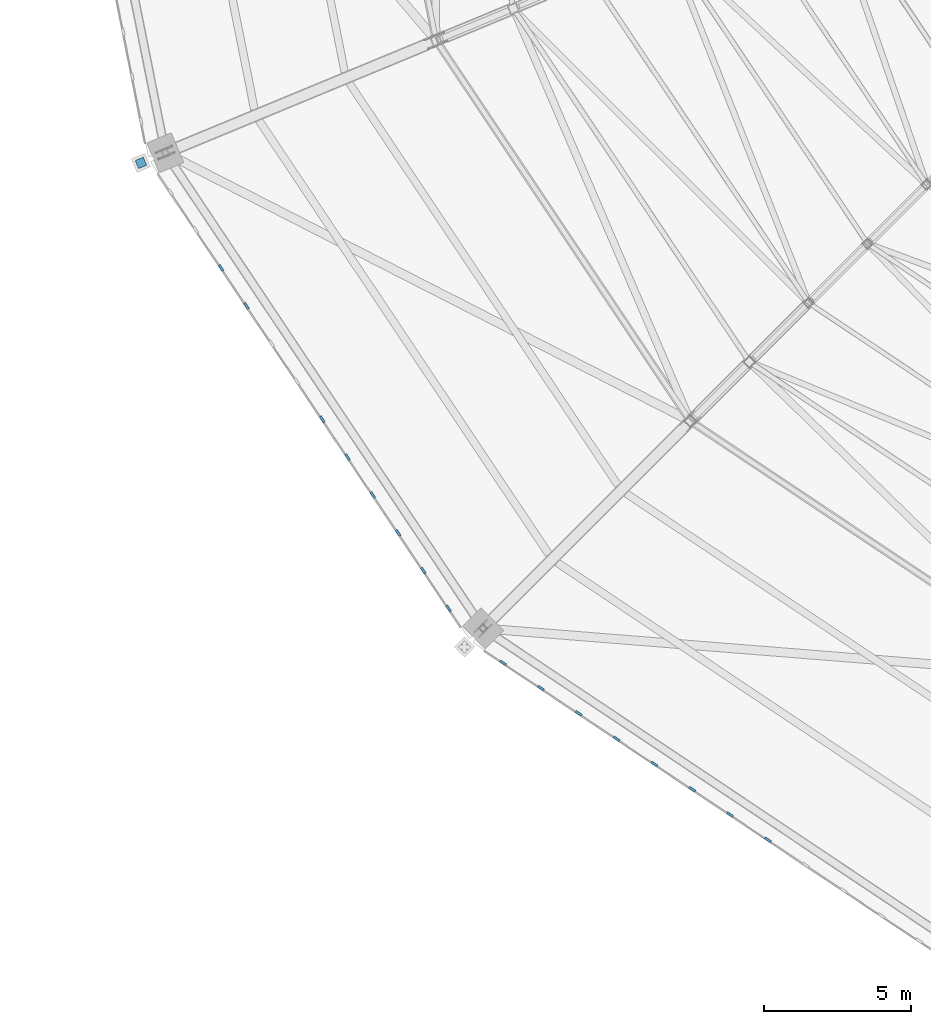
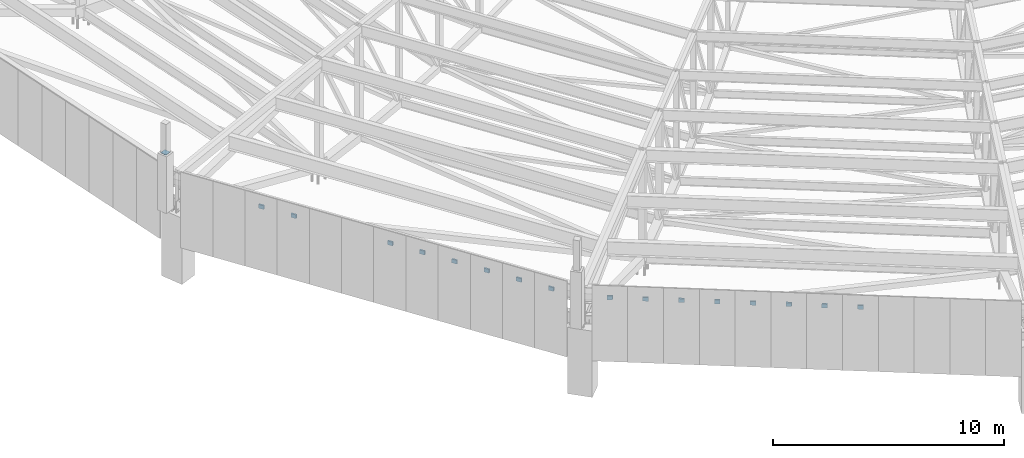
# One storey, part 112 of 278: 17 discrete accessories.
"""IFC4 building model written with IfcOpenShell, lengths in metres."""

import ifcopenshell
import ifcopenshell.guid

model = None  # the IFC model being written
_history = None  # IfcOwnerHistory: only IFC2X3 demands one
_inside = {}  # id of a spatial element -> (the spatial element, [elements in it])
_under = {}  # id of a project, library or spatial element -> (it, [spatial elements below it])
_declared = {}  # id of a project -> (the project, [libraries it declares])
_typed = {}  # id of a type object -> (the type object, [elements of that type])
_made_of = {}  # id of a material, layer set ... -> (it, [elements and type objects made of it])


def new_model(schema):
    """Start an empty IFC model of exactly this schema.

    Asked for "IFC4X3", IfcOpenShell would pick the latest addendum, in which some entities
    have other attributes; the version numbers below select the first issue.
    IFC2X3 requires an IfcOwnerHistory on every rooted entity: one is made here for all.
    """
    global model, _history
    if schema == "IFC4X3":
        model = ifcopenshell.file(schema_version=(4, 3, 0, 0))
    else:
        model = ifcopenshell.file(schema=schema)
    _inside.clear()
    _under.clear()
    _declared.clear()
    _typed.clear()
    _made_of.clear()
    _history = None
    if model.schema == "IFC2X3":
        org = make("IfcOrganization", Name="unknown")
        user = make(
            "IfcPersonAndOrganization",
            ThePerson=make("IfcPerson", FamilyName="unknown"),
            TheOrganization=org,
        )
        app = make(
            "IfcApplication",
            ApplicationDeveloper=org,
            Version="unknown",
            ApplicationFullName="unknown",
            ApplicationIdentifier="unknown",
        )
        _history = make(
            "IfcOwnerHistory",
            OwningUser=user,
            OwningApplication=app,
            ChangeAction="ADDED",
            CreationDate=0,
        )
    return model


def make(cls, **values):
    """One entity of the class cls with the attributes given. An attribute that is None is left unset."""
    return model.create_entity(
        cls, **{name: value for name, value in values.items() if value is not None}
    )


def rooted(cls, **values):
    """An entity with a GlobalId (a new one), such as an element, a storey or a relation."""
    return make(cls, GlobalId=ifcopenshell.guid.new(), OwnerHistory=_history, **values)


def si_unit(unit_type, name, prefix=None):
    """IfcSIUnit, for example si_unit("LENGTHUNIT", "METRE", prefix="MILLI")."""
    return make("IfcSIUnit", UnitType=unit_type, Prefix=prefix, Name=name)


def assignment(units):
    """IfcUnitAssignment: the units of a project."""
    return None if units is None else make("IfcUnitAssignment", Units=units)


def point(xyz):
    """IfcCartesianPoint."""
    return None if xyz is None else make("IfcCartesianPoint", Coordinates=xyz)


def direction(xyz):
    """IfcDirection."""
    return None if xyz is None else make("IfcDirection", DirectionRatios=xyz)


def frame(location, z_axis=None, x_axis=None):
    """IfcAxis2Placement3D, a coordinate frame: its origin and axes. An axis left out is left unset."""
    return make(
        "IfcAxis2Placement3D",
        Location=point(location),
        Axis=direction(z_axis),
        RefDirection=direction(x_axis),
    )


def frame_2d(location, x_axis=None):
    """IfcAxis2Placement2D, a coordinate frame in the plane: its origin and x axis."""
    return make(
        "IfcAxis2Placement2D", Location=point(location), RefDirection=direction(x_axis)
    )


def origin():
    """The frame at (0, 0, 0) with its axes left unset."""
    return frame((0.0, 0.0, 0.0))


def origin_2d():
    """The frame at (0, 0) in the plane with its x axis left unset."""
    return frame_2d((0.0, 0.0))


def place(relative_to, where):
    """IfcLocalPlacement: puts the frame where relative to a parent placement (None: the world)."""
    return make(
        "IfcLocalPlacement", PlacementRelTo=relative_to, RelativePlacement=where
    )


def context(
    kind, dimensions, precision=None, world=None, true_north=None, identifier=None
):
    """IfcGeometricRepresentationContext, for example the 3D "Model" context."""
    return make(
        "IfcGeometricRepresentationContext",
        ContextIdentifier=identifier,
        ContextType=kind,
        CoordinateSpaceDimension=dimensions,
        Precision=precision,
        WorldCoordinateSystem=world,
        TrueNorth=true_north,
    )


def subcontext(parent, identifier, kind, view, scale=None):
    """IfcGeometricRepresentationSubContext, for example "Body" below "Model"."""
    return make(
        "IfcGeometricRepresentationSubContext",
        ContextIdentifier=identifier,
        ContextType=kind,
        ParentContext=parent,
        TargetScale=scale,
        TargetView=view,
    )


def project(units=None, contexts=None):
    """IfcProject with its units and contexts."""
    return rooted(
        "IfcProject",
        Name="project",
        RepresentationContexts=contexts,
        UnitsInContext=assignment(units),
    )


def spatial(cls, under=None, at=None, **own):
    """A site, building, storey or space (cls), placed at a placement, below another one or the project."""
    s = rooted(cls, ObjectPlacement=at, **own)
    if under is not None:
        _under.setdefault(under.id(), (under, []))[1].append(s)
    return s


def profile(cls, at=None, kind="AREA", **sizes):
    """A parametric profile (cls). Its sizes go by their IFC names, for example OverallWidth=200.0."""
    return make(cls, ProfileType=kind, Position=at, **sizes)


def rectangle(**sizes):
    """IfcRectangleProfileDef."""
    return profile("IfcRectangleProfileDef", **sizes)


def extrude(swept, where, along, depth):
    """IfcExtrudedAreaSolid: the profile swept, set in the frame where, extruded along a direction by depth."""
    return make(
        "IfcExtrudedAreaSolid",
        SweptArea=swept,
        Position=where,
        ExtrudedDirection=direction(along),
        Depth=depth,
    )


def shape(context_of_items, identifier, shape_type, items):
    """IfcShapeRepresentation: the items that make up one representation, for example the "Body"."""
    return make(
        "IfcShapeRepresentation",
        ContextOfItems=context_of_items,
        RepresentationIdentifier=identifier,
        RepresentationType=shape_type,
        Items=items,
    )


def material(Name=None, Category=None):
    """IfcMaterial."""
    return make("IfcMaterial", Name=Name, Category=Category)


def layer(
    of_material, thickness, ventilated=None, Name=None, Category=None, Priority=None
):
    """IfcMaterialLayer: one layer of a wall or slab, of a material (None: an air gap)."""
    return make(
        "IfcMaterialLayer",
        Material=of_material,
        LayerThickness=thickness,
        IsVentilated=ventilated,
        Name=Name,
        Category=Category,
        Priority=Priority,
    )


def layer_set(layers, Name=None):
    """IfcMaterialLayerSet."""
    return make("IfcMaterialLayerSet", MaterialLayers=layers, LayerSetName=Name)


def made_of(thing, what):
    """Note that an element or type object is made of a material, layer set ...; save() writes the relation."""
    if what is not None:
        _made_of.setdefault(what.id(), (what, []))[1].append(thing)
    return thing


def type_object(cls, material=None, **own):
    """A type object (cls), such as IfcWallType, which elements share."""
    return made_of(rooted(cls, **own), material)


def element(
    cls,
    number,
    at=None,
    inside=None,
    cuts=None,
    type_object=None,
    material=None,
    context=None,
    identifier="Body",
    shape_type=None,
    held_by="IfcProductDefinitionShape",
    body=None,
    shapes=None,
    **own,
):
    """One element of the class cls, such as IfcWall. Its Tag is "e" and its number.

    at: its placement. inside: the storey or other place that contains it. cuts: it is an
    opening in that element (IfcRelVoidsElement). A single representation is given by context,
    identifier, shape_type and body (its items); several are given by shapes. held_by: the class
    of the entity that holds the representations. save() writes the other relations.
    """
    e = rooted(cls, Tag="e%d" % number, ObjectPlacement=at, **own)
    if body is not None:
        shapes = [shape(context, identifier, shape_type, body)]
    if shapes is not None:
        e.Representation = make(held_by, Representations=shapes)
    if inside is not None:
        _inside.setdefault(inside.id(), (inside, []))[1].append(e)
    if cuts is not None:
        rooted(
            "IfcRelVoidsElement", RelatingBuildingElement=cuts, RelatedOpeningElement=e
        )
    if type_object is not None:
        _typed.setdefault(type_object.id(), (type_object, []))[1].append(e)
    return made_of(e, material)


def aggregate(whole, parts):
    """IfcRelAggregates: a whole, such as a stair, and the parts it consists of."""
    return rooted("IfcRelAggregates", RelatingObject=whole, RelatedObjects=parts)


def save(model, path):
    """Write the relations noted so far, then the file.

    IfcRelAggregates (storeys below a building ...), IfcRelContainedInSpatialStructure (elements
    in a storey), IfcRelDefinesByType, IfcRelAssociatesMaterial and IfcRelDeclares: one each for
    every whole, place, type object, material and project.
    """
    for whole, parts in _under.values():
        aggregate(whole, parts)
    for where, things in _inside.values():
        rooted(
            "IfcRelContainedInSpatialStructure",
            RelatedElements=things,
            RelatingStructure=where,
        )
    for kind, things in _typed.values():
        rooted("IfcRelDefinesByType", RelatedObjects=things, RelatingType=kind)
    for what, things in _made_of.values():
        rooted("IfcRelAssociatesMaterial", RelatedObjects=things, RelatingMaterial=what)
    for by, libraries in _declared.values():
        rooted("IfcRelDeclares", RelatingContext=by, RelatedDefinitions=libraries)
    model.write(path)


model = new_model("IFC4")

# Units and contexts
model_context = context("Model", 3, precision=1e-05, world=origin(), true_north=direction((0.0, 1.0)))
body_context = subcontext(model_context, "Body", "Model", "MODEL_VIEW")
ifc_project = project(units=[si_unit("LENGTHUNIT", "METRE"), si_unit("AREAUNIT", "SQUARE_METRE"), si_unit("VOLUMEUNIT", "CUBIC_METRE"), si_unit("PLANEANGLEUNIT", "RADIAN"), si_unit("MASSUNIT", "GRAM", prefix="KILO")], contexts=[model_context])

# Site, building, storey
site_placement = place(None, origin())
site = spatial("IfcSite", under=ifc_project, at=site_placement, CompositionType="ELEMENT")
building_placement = place(site_placement, origin())
building = spatial("IfcBuilding", under=site, at=building_placement, Name="Ogive Plaza Stadium", CompositionType="ELEMENT")
storey_placement = place(building_placement, frame((0.0, 0.0, 29.0)))
storey = spatial("IfcBuildingStorey", under=building, at=storey_placement, Name="Roof", CompositionType="ELEMENT", Elevation=29.0)

# Discrete accessories
ifc_material_1 = material(Name="Steel ASTM A992 Grade 50", Category="steel")
ifc_layer_1 = layer(ifc_material_1, 0.02001953125)
ifc_layer_set_1 = layer_set([ifc_layer_1], Name="Steel ASTM A992 Grade 50")
discrete_accessory_type_1 = type_object("IfcDiscreteAccessoryType", Name="Spire seat plate 20", PredefinedType="ANCHORPLATE", material=ifc_layer_set_1)
discrete_accessory_placement = place(storey_placement, frame((-81.025390625, -71.978515625, 6.98095703125), z_axis=(0.0, 0.0, 1.0), x_axis=(-0.923879532511, -0.382683432365, 0.0)))
element("IfcDiscreteAccessory", 1, at=discrete_accessory_placement, inside=storey, type_object=discrete_accessory_type_1, Name="SPIRE SEAT PLATE 20", PredefinedType="ANCHORPLATE", context=body_context, shape_type="SweptSolid", body=[
    extrude(rectangle(XDim=0.300048828125, YDim=0.300048828125, at=origin_2d()), origin(), (0.0, 0.0, 1.0), 0.02001953125),
])
ifc_material_2 = material(Name="Steel ASTM A572 Grade 50", Category="steel")
ifc_layer_2 = layer(ifc_material_2, 0.080078125)
ifc_layer_set_2 = layer_set([ifc_layer_2], Name="Steel ASTM A572 Grade 50")
discrete_accessory_type_2 = type_object("IfcDiscreteAccessoryType", Name="Tracery screen bracket 250x200", PredefinedType="BRACKET", material=ifc_layer_set_2)
for number, where, z_axis, x_axis, name in (
    (2, (-59.641845703125, -95.066650390625, 5.25), (0.0, 0.0, 1.0), (-0.831469612303, 0.55557023302, 0.0), "TRACERY SCREEN BRACKET B18 5"),
    (3, (-60.9326171875, -94.204345703125, 5.25), (0.0, 0.0, 1.0), (-0.831469612303, 0.55557023302, 0.0), "TRACERY SCREEN BRACKET B18 6"),
    (4, (-62.22314453125, -93.341796875, 5.25), (0.0, 0.0, 1.0), (-0.831469612303, 0.55557023302, 0.0), "TRACERY SCREEN BRACKET B18 7"),
    (5, (-63.513671875, -92.4794921875, 5.25), (0.0, 0.0, 1.0), (-0.831469612303, 0.55557023302, 0.0), "TRACERY SCREEN BRACKET B18 8"),
    (6, (-64.80419921875, -91.6171875, 5.25), (0.0, 0.0, 1.0), (-0.831469612303, 0.55557023302, 0.0), "TRACERY SCREEN BRACKET B18 9"),
    (7, (-66.0947265625, -90.7548828125, 5.25), (0.0, 0.0, 1.0), (-0.831469612303, 0.55557023302, 0.0), "TRACERY SCREEN BRACKET B18 10"),
    (8, (-67.385498046875, -89.892578125, 5.25), (0.0, 0.0, 1.0), (-0.831469612303, 0.55557023302, 0.0), "TRACERY SCREEN BRACKET B18 11"),
    (9, (-68.676025390625, -89.0302734375, 5.25), (0.0, 0.0, 1.0), (-0.831469612303, 0.55557023302, 0.0), "TRACERY SCREEN BRACKET B18 12"),
    (10, (-70.5302734375, -87.176025390625, 5.25), (0.0, 0.0, 1.0), (-0.55557023302, 0.831469612303, 0.0), "TRACERY SCREEN BRACKET B19 1"),
    (11, (-71.392578125, -85.885498046875, 5.25), (0.0, 0.0, 1.0), (-0.55557023302, 0.831469612303, 0.0), "TRACERY SCREEN BRACKET B19 2"),
    (12, (-72.2548828125, -84.5947265625, 5.25), (0.0, 0.0, 1.0), (-0.55557023302, 0.831469612303, 0.0), "TRACERY SCREEN BRACKET B19 3"),
    (13, (-73.1171875, -83.30419921875, 5.25), (0.0, 0.0, 1.0), (-0.55557023302, 0.831469612303, 0.0), "TRACERY SCREEN BRACKET B19 4"),
    (14, (-73.9794921875, -82.013671875, 5.25), (0.0, 0.0, 1.0), (-0.55557023302, 0.831469612303, 0.0), "TRACERY SCREEN BRACKET B19 5"),
    (15, (-74.841796875, -80.72314453125, 5.25), (0.0, 0.0, 1.0), (-0.55557023302, 0.831469612303, 0.0), "TRACERY SCREEN BRACKET B19 6"),
    (16, (-77.428955078125, -76.851318359375, 5.25), (0.0, 0.0, 1.0), (-0.55557023302, 0.831469612303, 0.0), "TRACERY SCREEN BRACKET B19 9"),
    (17, (-78.291259765625, -75.560791015625, 5.25), (0.0, 0.0, 1.0), (-0.55557023302, 0.831469612303, 0.0), "TRACERY SCREEN BRACKET B19 10"),
):
    element("IfcDiscreteAccessory", number, at=place(storey_placement, frame(where, z_axis=z_axis, x_axis=x_axis)), inside=storey, type_object=discrete_accessory_type_2, Name=name, PredefinedType="BRACKET", context=body_context, shape_type="SweptSolid", body=[
        extrude(rectangle(XDim=0.25, YDim=0.080078125, at=origin_2d()), origin(), (0.0, 0.0, 1.0), 0.199951171875),
    ])

save(model, "model.ifc")
